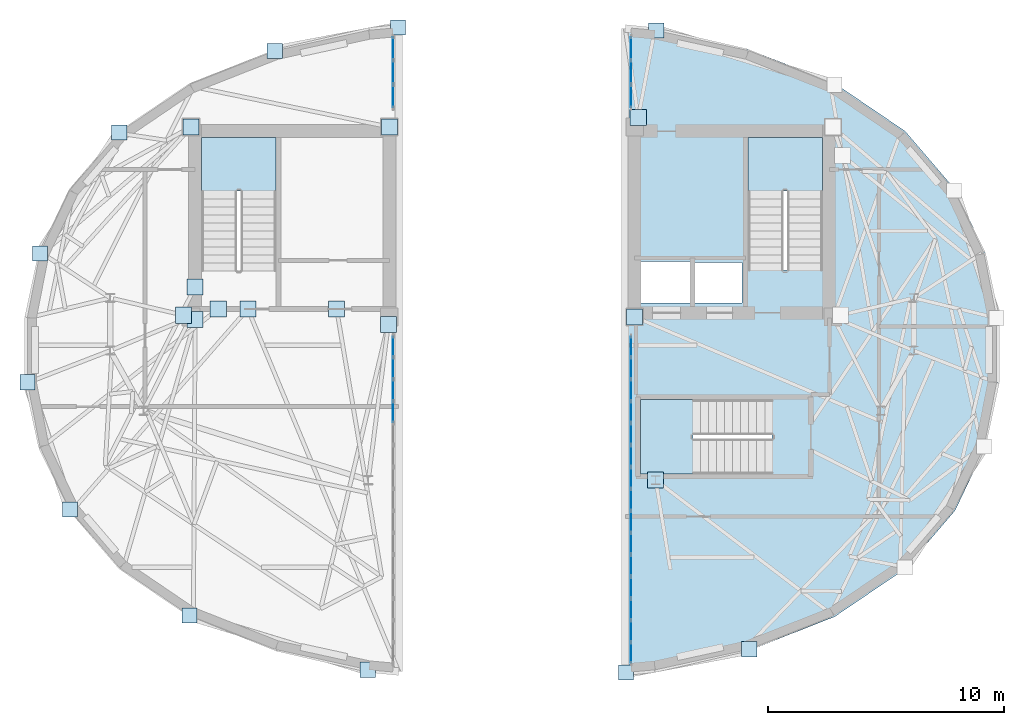
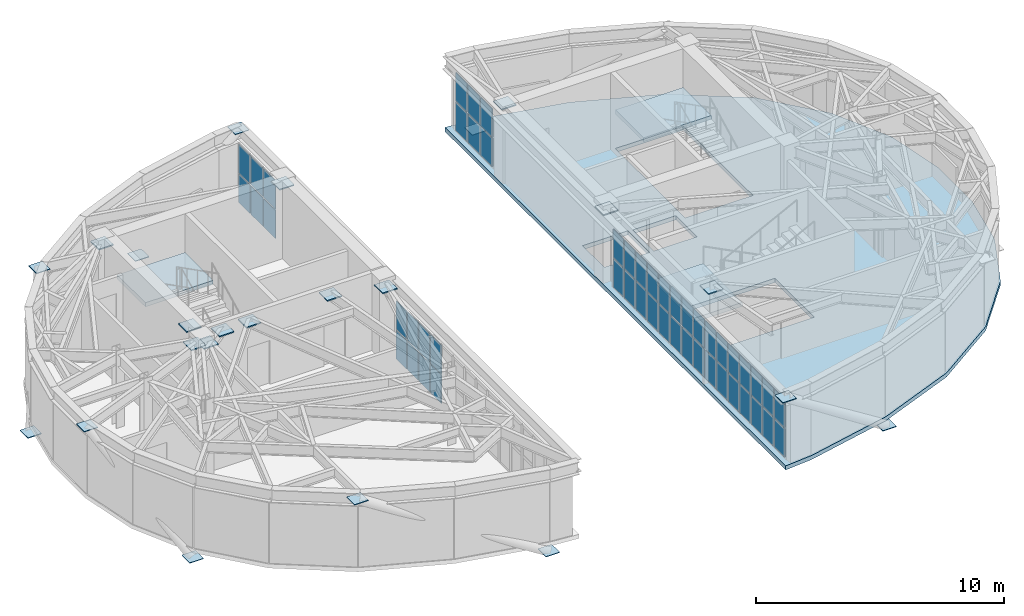
# One storey, part 8 of 13: 73 plates, 4 slabs, 7 elements without a shape of their own.
"""IFC4 building model written with IfcOpenShell, lengths in metres."""

from ifc_helpers import new_model, si_unit, direction, frame, origin, origin_2d, place, context, subcontext, project, spatial, polyline, rectangle, outline, extrude, material, layer, layer_set, type_object, element, aggregate, save


model = new_model("IFC4")

# Units and contexts
model_context = context("Model", 3, precision=1e-05, world=origin(), true_north=direction((0.0, 1.0)))
body_context = subcontext(model_context, "Body", "Model", "MODEL_VIEW")
ifc_project = project(units=[si_unit("LENGTHUNIT", "METRE"), si_unit("AREAUNIT", "SQUARE_METRE"), si_unit("VOLUMEUNIT", "CUBIC_METRE"), si_unit("PLANEANGLEUNIT", "RADIAN"), si_unit("MASSUNIT", "GRAM", prefix="KILO")], contexts=[model_context])

# Site, building, storey
site_placement = place(None, origin())
site = spatial("IfcSite", under=ifc_project, at=site_placement, CompositionType="ELEMENT")
building_placement = place(site_placement, origin())
building = spatial("IfcBuilding", under=site, at=building_placement, Name="Keldmark Tower", CompositionType="ELEMENT")
storey_placement = place(building_placement, frame((0.0, 0.0, 273.0)))
storey = spatial("IfcBuildingStorey", under=building, at=storey_placement, Name="L77", CompositionType="ELEMENT", Elevation=273.0)

# Plates
ifc_material_1 = material(Name="Steel ASTM A572 Grade 50", Category="steel")
ifc_layer_1 = layer(ifc_material_1, 0.06005859375)
ifc_layer_set_1 = layer_set([ifc_layer_1], Name="Steel ASTM A572 Grade 50")
plate_type_1 = type_object("IfcPlateType", Name="Belt Truss Kink Node Assembly KN01 60 mm", PredefinedType="USERDEFINED", material=ifc_layer_set_1)
for number, where, z_axis, x_axis, name in (
    (1, (-13.91162109375, 1.473388671875, 3.30810546875), (0.0, 0.0, 1.0), (1.0, 0.0, 0.0), "L77 Core Wall Cast-In Embed Plate 2203"),
    (2, (-5.24072265625, 1.08251953125, 3.30810546875), (0.0, 0.0, 1.0), (1.0, 0.0, 0.0), "L77 Core Wall Cast-In Embed Plate 2204"),
    (3, (5.199951171875, 1.39990234375, 3.30810546875), (0.0, 0.0, 1.0), (1.0, 0.0, 0.0), "L77 Core Wall Cast-In Embed Plate 2205"),
    (4, (6.089599609375, -5.512939453125, 3.30810546875), (0.0, 0.0, 1.0), (1.0, 0.0, 0.0), "L77 Core Wall Cast-In Embed Plate 2208"),
    (5, (5.35009765625, 9.85009765625, 3.30810546875), (0.0, 0.0, 1.0), (1.0, 0.0, 0.0), "L77 Core Wall Cast-In Embed Plate 2209"),
    (6, (-13.425048828125, 2.675048828125, 3.30810546875), (0.0, 0.0, 1.0), (1.0, 0.0, 0.0), "L77 Core Wall Cast-In Embed Plate 2210"),
    (7, (-12.4462890625, 1.739990234375, 3.30810546875), (0.0, 0.0, 1.0), (1.0, 0.0, 0.0), "L77 Core Wall Cast-In Embed Plate 2211"),
    (8, (-13.60009765625, 9.449951171875, 3.30810546875), (0.0, 0.0, 1.0), (1.0, 0.0, 0.0), "L77 Core Wall Cast-In Embed Plate 2212"),
    (9, (-7.43212890625, 1.739990234375, 3.30810546875), (0.0, 0.0, 1.0), (1.0, 0.0, 0.0), "L77 Core Wall Cast-In Embed Plate 2213"),
    (10, (-13.425048828125, 1.300048828125, 3.30810546875), (0.0, 0.0, 1.0), (1.0, 0.0, 0.0), "L77 Core Wall Cast-In Embed Plate 2214"),
    (11, (-11.19287109375, 1.739990234375, 3.30810546875), (0.0, 0.0, 1.0), (1.0, 0.0, 0.0), "L77 Core Wall Cast-In Embed Plate 2215"),
    (12, (-5.199951171875, 9.449951171875, 3.30810546875), (0.0, 0.0, 1.0), (1.0, 0.0, 0.0), "L77 Core Wall Cast-In Embed Plate 2216"),
):
    element("IfcPlate", number, at=place(storey_placement, frame(where, z_axis=z_axis, x_axis=x_axis)), inside=storey, type_object=plate_type_1, Name=name, ObjectType="CAP PLATE", PredefinedType="USERDEFINED", context=body_context, shape_type="SweptSolid", body=[
        extrude(rectangle(XDim=0.679931640625, YDim=0.679931640625, at=origin_2d()), origin(), (0.0, 0.0, 1.0), 0.054931640625),
    ])
ifc_material_2 = material(Name="Steel ASTM A572 Grade 50", Category="steel")
ifc_layer_2 = layer(ifc_material_2, 0.030029296875)
ifc_layer_set_2 = layer_set([ifc_layer_2], Name="Steel ASTM A572 Grade 50")
plate_type_2 = type_object("IfcPlateType", Name="Crown Frame End Cap Plate CP01 30 mm", PredefinedType="SHEET", material=ifc_layer_set_2)
for number, where, z_axis, x_axis, name in (
    (13, (6.11083984375, 13.546875, -0.46484375), (0.0, 0.0, 1.0), (1.0, 0.0, 0.0), "L77 Crown Frame Node Cap E00-0"),
    (14, (10.05078125, -12.676513671875, -0.46484375), (0.0, 0.0, 1.0), (1.0, 0.0, 0.0), "L77 Crown Frame Node Cap E12-0"),
    (15, (4.8330078125, -13.66455078125, 3.3349609375), (0.0, 0.0, 1.0), (1.0, 0.0, 0.0), "L77 Crown Frame Node Cap E12-1"),
    (16, (-6.11083984375, -13.546875, -0.46484375), (0.0, 0.0, 1.0), (1.0, 0.0, 0.0), "L77 Crown Frame Node Cap W00-0"),
    (17, (-13.6708984375, -11.23974609375, 3.3349609375), (0.0, 0.0, 1.0), (1.0, 0.0, 0.0), "L77 Crown Frame Node Cap W00-1"),
    (18, (-18.736328125, -6.7578125, -0.46484375), (0.0, 0.0, 1.0), (1.0, 0.0, 0.0), "L77 Crown Frame Node Cap W04-0"),
    (19, (-20.52685546875, -1.36328125, 3.3349609375), (0.0, 0.0, 1.0), (1.0, 0.0, 0.0), "L77 Crown Frame Node Cap W04-1"),
    (20, (-19.99658203125, 4.092041015625, -0.46484375), (0.0, 0.0, 1.0), (1.0, 0.0, 0.0), "L77 Crown Frame Node Cap W08-0"),
    (21, (-16.639404296875, 9.216064453125, 3.3349609375), (0.0, 0.0, 1.0), (1.0, 0.0, 0.0), "L77 Crown Frame Node Cap W08-1"),
    (22, (-10.05078125, 12.676513671875, -0.46484375), (0.0, 0.0, 1.0), (1.0, 0.0, 0.0), "L77 Crown Frame Node Cap W12-0"),
    (23, (-4.8330078125, 13.66455078125, 3.3349609375), (0.0, 0.0, 1.0), (1.0, 0.0, 0.0), "L77 Crown Frame Node Cap W12-1"),
):
    element("IfcPlate", number, at=place(storey_placement, frame(where, z_axis=z_axis, x_axis=x_axis)), inside=storey, type_object=plate_type_2, Name=name, PredefinedType="SHEET", context=body_context, shape_type="SweptSolid", body=[
        extrude(rectangle(XDim=0.639892578125, YDim=0.639892578125, at=origin_2d()), origin(), (0.0, 0.0, 1.0), 0.030029296875),
    ])

# Slab
ifc_material_3 = material(Name="Concrete C35/45", Category="concrete")
ifc_layer_3 = layer(ifc_material_3, 0.199951171875)
ifc_layer_set_3 = layer_set([ifc_layer_3], Name="Concrete C35/45")
slab_type_1 = type_object("IfcSlabType", Name="Low-Rise Office Composite Slab 200 mm", PredefinedType="FLOOR", material=ifc_layer_set_3)
slab_1_placement = place(storey_placement, frame((0.0, 0.0, -0.199951171875)))
element("IfcSlab", 24, at=slab_1_placement, inside=storey, type_object=slab_type_1, Name="L77 East Crown Plant Floor Slab", PredefinedType="FLOOR", context=body_context, shape_type="SweptSolid", body=[
    extrude(outline(polyline([(6.0810546875, 13.59912109375), (10.03369140625, 12.734130859375), (13.669921875, 11.2998046875), (16.656982421875, 9.2734375), (18.771484375, 6.806396484375), (20.04638671875, 4.125244140625), (20.585693359375, 1.37548828125), (20.585693359375, -1.37548828125), (20.04638671875, -4.125244140625), (18.771484375, -6.806396484375), (16.656982421875, -9.2734375), (13.669921875, -11.2998046875), (10.03369140625, -12.734130859375), (6.0810546875, -13.59912109375), (4.800048828125, -13.714599609375), (4.800048828125, 13.714599609375), (6.0810546875, 13.59912109375)]), holes=[polyline([(13.14990234375, 3.385009765625), (13.14990234375, 9.0), (10.0, 9.0), (10.0, 3.385009765625), (13.14990234375, 3.385009765625)]), polyline([(11.014892578125, -2.10009765625), (5.43994140625, -2.10009765625), (5.43994140625, -5.25), (11.014892578125, -5.25), (11.014892578125, -2.10009765625)]), polyline([(7.75, 2.0), (9.75, 2.0), (9.75, 3.699951171875), (7.75, 3.699951171875), (7.75, 2.0)]), polyline([(5.449951171875, 2.0), (7.550048828125, 2.0), (7.550048828125, 3.75), (5.449951171875, 3.75), (5.449951171875, 2.0)])]), origin(), (0.0, 0.0, 1.0), 0.199951171875),
])

# Stair, slab
ifc_material_4 = material(Name="Concrete C40/50", Category="concrete")
stair_type = type_object("IfcStairType", Name="Precast Concrete Core Exit Stair", PredefinedType="HALF_TURN_STAIR", material=ifc_material_4)
stair_1_placement = place(storey_placement, origin())
stair_1 = element("IfcStair", 25, at=stair_1_placement, inside=storey, type_object=stair_type, Name="L77 Exit Stair ST1", PredefinedType="HALF_TURN_STAIR")
ifc_material_5 = material(Name="Concrete C40/50", Category="concrete")
ifc_layer_4 = layer(ifc_material_5, 0.199951171875)
ifc_layer_set_4 = layer_set([ifc_layer_4], Name="Concrete C40/50")
slab_type_2 = type_object("IfcSlabType", Name="Reinforced Concrete Stair Landing 200 mm", PredefinedType="LANDING", material=ifc_layer_set_4)
slab_2_placement = place(storey_placement, frame((0.0, 0.0, 1.699951171875)))
slab_2 = element("IfcSlab", 26, at=slab_2_placement, type_object=slab_type_2, Name="ST1 landing 1", PredefinedType="LANDING", context=body_context, shape_type="SweptSolid", body=[
    extrude(outline(polyline([(-10.0, 6.72998046875), (-10.0, 9.0), (-13.14990234375, 9.0), (-13.14990234375, 6.72998046875), (-10.0, 6.72998046875)])), origin(), (0.0, 0.0, 1.0), 0.199951171875),
])
aggregate(stair_1, [slab_2])

stair_2_placement = place(storey_placement, origin())
stair_2 = element("IfcStair", 27, at=stair_2_placement, inside=storey, type_object=stair_type, Name="L77 Exit Stair ST2", PredefinedType="HALF_TURN_STAIR")
slab_3_placement = place(storey_placement, frame((0.0, 0.0, 1.699951171875)))
slab_3 = element("IfcSlab", 28, at=slab_3_placement, type_object=slab_type_2, Name="ST2 landing 1", PredefinedType="LANDING", context=body_context, shape_type="SweptSolid", body=[
    extrude(outline(polyline([(13.14990234375, 6.72998046875), (13.14990234375, 9.0), (10.0, 9.0), (10.0, 6.72998046875), (13.14990234375, 6.72998046875)])), origin(), (0.0, 0.0, 1.0), 0.199951171875),
])
aggregate(stair_2, [slab_3])

stair_3_placement = place(storey_placement, origin())
stair_3 = element("IfcStair", 29, at=stair_3_placement, inside=storey, type_object=stair_type, Name="L77 East Crown Exit Stair ST4", PredefinedType="HALF_TURN_STAIR")
slab_4_placement = place(storey_placement, frame((0.0, 0.0, 1.699951171875)))
slab_4 = element("IfcSlab", 30, at=slab_4_placement, type_object=slab_type_2, Name="ST4 landing 1", PredefinedType="LANDING", context=body_context, shape_type="SweptSolid", body=[
    extrude(outline(polyline([(7.669921875, -2.10009765625), (5.43994140625, -2.10009765625), (5.43994140625, -5.25), (7.669921875, -5.25), (7.669921875, -2.10009765625)])), origin(), (0.0, 0.0, 1.0), 0.199951171875),
])
aggregate(stair_3, [slab_4])

# Curtain wall, plates
ifc_material_6 = material(Name="Unitized Thermally Broken Aluminum and Triple Low-E Glazing", Category="aluminium")
ifc_layer_5 = layer(ifc_material_6, 0.219970703125)
ifc_layer_set_5 = layer_set([ifc_layer_5], Name="Unitized Thermally Broken Aluminum and Triple Low-E Glazing")
curtain_wall_type = type_object("IfcCurtainWallType", Name="Split-Top Crown Lantern Curtain Wall System", PredefinedType="NOTDEFINED", material=ifc_layer_set_5)
curtain_wall_1_placement = place(storey_placement, origin())
curtain_wall_1 = element("IfcCurtainWall", 31, at=curtain_wall_1_placement, inside=storey, type_object=curtain_wall_type, Name="L77 Split-Top Crown Lantern Curtain Wall System CW-L77-ES14-0", PredefinedType="NOTDEFINED")
ifc_material_7 = material(Name="Triple Silver Low-E Insulated Glass Unit", Category="glass")
ifc_layer_6 = layer(ifc_material_7, 0.035888671875)
ifc_layer_set_6 = layer_set([ifc_layer_6], Name="Triple Silver Low-E Insulated Glass Unit")
plate_type_3 = type_object("IfcPlateType", Name="Triple Low-E Vision Glazing Panel 36 mm", PredefinedType="CURTAIN_PANEL", material=ifc_layer_set_6)
plate_1_placement = place(storey_placement, frame((5.0400390625, 12.783203125, 0.06005859375), z_axis=(0.0, 0.0, 1.0), x_axis=(0.0, -1.0, 0.0)))
plate_1 = element("IfcPlate", 32, at=plate_1_placement, type_object=plate_type_3, Name="CW panel 1.1", PredefinedType="CURTAIN_PANEL", context=body_context, shape_type="SweptSolid", body=[
    extrude(rectangle(XDim=0.937744140625, YDim=0.035888671875, at=origin_2d()), origin(), (0.0, 0.0, 1.0), 1.39306640625),
])
plate_2_placement = place(storey_placement, frame((5.0400390625, 12.783203125, 1.512939453125), z_axis=(0.0, 0.0, 1.0), x_axis=(0.0, -1.0, 0.0)))
plate_2 = element("IfcPlate", 33, at=plate_2_placement, type_object=plate_type_3, Name="CW panel 1.2", PredefinedType="CURTAIN_PANEL", context=body_context, shape_type="SweptSolid", body=[
    extrude(rectangle(XDim=0.937744140625, YDim=0.035888671875, at=origin_2d()), origin(), (0.0, 0.0, 1.0), 1.39306640625),
])
plate_3_placement = place(storey_placement, frame((5.0400390625, 11.770263671875, 0.06005859375), z_axis=(0.0, 0.0, 1.0), x_axis=(0.0, -1.0, 0.0)))
plate_3 = element("IfcPlate", 34, at=plate_3_placement, type_object=plate_type_3, Name="CW panel 2.1", PredefinedType="CURTAIN_PANEL", context=body_context, shape_type="SweptSolid", body=[
    extrude(rectangle(XDim=0.9677734375, YDim=0.035888671875, at=origin_2d()), origin(), (0.0, 0.0, 1.0), 1.39306640625),
])
plate_4_placement = place(storey_placement, frame((5.0400390625, 11.770263671875, 1.512939453125), z_axis=(0.0, 0.0, 1.0), x_axis=(0.0, -1.0, 0.0)))
plate_4 = element("IfcPlate", 35, at=plate_4_placement, type_object=plate_type_3, Name="CW panel 2.2", PredefinedType="CURTAIN_PANEL", context=body_context, shape_type="SweptSolid", body=[
    extrude(rectangle(XDim=0.9677734375, YDim=0.035888671875, at=origin_2d()), origin(), (0.0, 0.0, 1.0), 1.39306640625),
])
plate_5_placement = place(storey_placement, frame((5.0400390625, 10.75732421875, 0.06005859375), z_axis=(0.0, 0.0, 1.0), x_axis=(0.0, -1.0, 0.0)))
plate_5 = element("IfcPlate", 36, at=plate_5_placement, type_object=plate_type_3, Name="CW panel 3.1", PredefinedType="CURTAIN_PANEL", context=body_context, shape_type="SweptSolid", body=[
    extrude(rectangle(XDim=0.937744140625, YDim=0.035888671875, at=origin_2d()), origin(), (0.0, 0.0, 1.0), 1.39306640625),
])
plate_6_placement = place(storey_placement, frame((5.0400390625, 10.75732421875, 1.512939453125), z_axis=(0.0, 0.0, 1.0), x_axis=(0.0, -1.0, 0.0)))
plate_6 = element("IfcPlate", 37, at=plate_6_placement, type_object=plate_type_3, Name="CW panel 3.2", PredefinedType="CURTAIN_PANEL", context=body_context, shape_type="SweptSolid", body=[
    extrude(rectangle(XDim=0.937744140625, YDim=0.035888671875, at=origin_2d()), origin(), (0.0, 0.0, 1.0), 1.39306640625),
])
aggregate(curtain_wall_1, [plate_1, plate_2, plate_3, plate_4, plate_5, plate_6])

curtain_wall_2_placement = place(storey_placement, origin())
curtain_wall_2 = element("IfcCurtainWall", 38, at=curtain_wall_2_placement, inside=storey, type_object=curtain_wall_type, Name="L77 Split-Top Crown Lantern Curtain Wall System CW-L77-ES14-1", PredefinedType="NOTDEFINED")
plate_7_placement = place(storey_placement, frame((5.0400390625, 0.14208984375, 0.06005859375), z_axis=(0.0, 0.0, 1.0), x_axis=(0.0, -1.0, 0.0)))
plate_7 = element("IfcPlate", 39, at=plate_7_placement, type_object=plate_type_3, Name="CW panel 1.1", PredefinedType="CURTAIN_PANEL", context=body_context, shape_type="SweptSolid", body=[
    extrude(rectangle(XDim=0.8388671875, YDim=0.035888671875, at=origin_2d()), origin(), (0.0, 0.0, 1.0), 1.39306640625),
])
plate_8_placement = place(storey_placement, frame((5.0400390625, 0.14208984375, 1.512939453125), z_axis=(0.0, 0.0, 1.0), x_axis=(0.0, -1.0, 0.0)))
plate_8 = element("IfcPlate", 40, at=plate_8_placement, type_object=plate_type_3, Name="CW panel 1.2", PredefinedType="CURTAIN_PANEL", context=body_context, shape_type="SweptSolid", body=[
    extrude(rectangle(XDim=0.8388671875, YDim=0.035888671875, at=origin_2d()), origin(), (0.0, 0.0, 1.0), 1.39306640625),
])
plate_9_placement = place(storey_placement, frame((5.0400390625, -0.771728515625, 0.06005859375), z_axis=(0.0, 0.0, 1.0), x_axis=(0.0, -1.0, 0.0)))
plate_9 = element("IfcPlate", 41, at=plate_9_placement, type_object=plate_type_3, Name="CW panel 2.1", PredefinedType="CURTAIN_PANEL", context=body_context, shape_type="SweptSolid", body=[
    extrude(rectangle(XDim=0.868896484375, YDim=0.035888671875, at=origin_2d()), origin(), (0.0, 0.0, 1.0), 1.39306640625),
])
plate_10_placement = place(storey_placement, frame((5.0400390625, -0.771728515625, 1.512939453125), z_axis=(0.0, 0.0, 1.0), x_axis=(0.0, -1.0, 0.0)))
plate_10 = element("IfcPlate", 42, at=plate_10_placement, type_object=plate_type_3, Name="CW panel 2.2", PredefinedType="CURTAIN_PANEL", context=body_context, shape_type="SweptSolid", body=[
    extrude(rectangle(XDim=0.868896484375, YDim=0.035888671875, at=origin_2d()), origin(), (0.0, 0.0, 1.0), 1.39306640625),
])
plate_11_placement = place(storey_placement, frame((5.0400390625, -1.70068359375, 0.06005859375), z_axis=(0.0, 0.0, 1.0), x_axis=(0.0, -1.0, 0.0)))
plate_11 = element("IfcPlate", 43, at=plate_11_placement, type_object=plate_type_3, Name="CW panel 3.1", PredefinedType="CURTAIN_PANEL", context=body_context, shape_type="SweptSolid", body=[
    extrude(rectangle(XDim=0.868896484375, YDim=0.035888671875, at=origin_2d()), origin(), (0.0, 0.0, 1.0), 1.39306640625),
])
plate_12_placement = place(storey_placement, frame((5.0400390625, -1.70068359375, 1.512939453125), z_axis=(0.0, 0.0, 1.0), x_axis=(0.0, -1.0, 0.0)))
plate_12 = element("IfcPlate", 44, at=plate_12_placement, type_object=plate_type_3, Name="CW panel 3.2", PredefinedType="CURTAIN_PANEL", context=body_context, shape_type="SweptSolid", body=[
    extrude(rectangle(XDim=0.868896484375, YDim=0.035888671875, at=origin_2d()), origin(), (0.0, 0.0, 1.0), 1.39306640625),
])
plate_13_placement = place(storey_placement, frame((5.0400390625, -2.629638671875, 0.06005859375), z_axis=(0.0, 0.0, 1.0), x_axis=(0.0, -1.0, 0.0)))
plate_13 = element("IfcPlate", 45, at=plate_13_placement, type_object=plate_type_3, Name="CW panel 4.1", PredefinedType="CURTAIN_PANEL", context=body_context, shape_type="SweptSolid", body=[
    extrude(rectangle(XDim=0.868896484375, YDim=0.035888671875, at=origin_2d()), origin(), (0.0, 0.0, 1.0), 1.39306640625),
])
plate_14_placement = place(storey_placement, frame((5.0400390625, -2.629638671875, 1.512939453125), z_axis=(0.0, 0.0, 1.0), x_axis=(0.0, -1.0, 0.0)))
plate_14 = element("IfcPlate", 46, at=plate_14_placement, type_object=plate_type_3, Name="CW panel 4.2", PredefinedType="CURTAIN_PANEL", context=body_context, shape_type="SweptSolid", body=[
    extrude(rectangle(XDim=0.868896484375, YDim=0.035888671875, at=origin_2d()), origin(), (0.0, 0.0, 1.0), 1.39306640625),
])
plate_15_placement = place(storey_placement, frame((5.0400390625, -3.55859375, 0.06005859375), z_axis=(0.0, 0.0, 1.0), x_axis=(0.0, -1.0, 0.0)))
plate_15 = element("IfcPlate", 47, at=plate_15_placement, type_object=plate_type_3, Name="CW panel 5.1", PredefinedType="CURTAIN_PANEL", context=body_context, shape_type="SweptSolid", body=[
    extrude(rectangle(XDim=0.868896484375, YDim=0.035888671875, at=origin_2d()), origin(), (0.0, 0.0, 1.0), 1.39306640625),
])
plate_16_placement = place(storey_placement, frame((5.0400390625, -3.55859375, 1.512939453125), z_axis=(0.0, 0.0, 1.0), x_axis=(0.0, -1.0, 0.0)))
plate_16 = element("IfcPlate", 48, at=plate_16_placement, type_object=plate_type_3, Name="CW panel 5.2", PredefinedType="CURTAIN_PANEL", context=body_context, shape_type="SweptSolid", body=[
    extrude(rectangle(XDim=0.868896484375, YDim=0.035888671875, at=origin_2d()), origin(), (0.0, 0.0, 1.0), 1.39306640625),
])
plate_17_placement = place(storey_placement, frame((5.0400390625, -4.487548828125, 0.06005859375), z_axis=(0.0, 0.0, 1.0), x_axis=(0.0, -1.0, 0.0)))
plate_17 = element("IfcPlate", 49, at=plate_17_placement, type_object=plate_type_3, Name="CW panel 6.1", PredefinedType="CURTAIN_PANEL", context=body_context, shape_type="SweptSolid", body=[
    extrude(rectangle(XDim=0.868896484375, YDim=0.035888671875, at=origin_2d()), origin(), (0.0, 0.0, 1.0), 1.39306640625),
])
plate_18_placement = place(storey_placement, frame((5.0400390625, -4.487548828125, 1.512939453125), z_axis=(0.0, 0.0, 1.0), x_axis=(0.0, -1.0, 0.0)))
plate_18 = element("IfcPlate", 50, at=plate_18_placement, type_object=plate_type_3, Name="CW panel 6.2", PredefinedType="CURTAIN_PANEL", context=body_context, shape_type="SweptSolid", body=[
    extrude(rectangle(XDim=0.868896484375, YDim=0.035888671875, at=origin_2d()), origin(), (0.0, 0.0, 1.0), 1.39306640625),
])
plate_19_placement = place(storey_placement, frame((5.0400390625, -5.416259765625, 0.06005859375), z_axis=(0.0, 0.0, 1.0), x_axis=(0.0, -1.0, 0.0)))
plate_19 = element("IfcPlate", 51, at=plate_19_placement, type_object=plate_type_3, Name="CW panel 7.1", PredefinedType="CURTAIN_PANEL", context=body_context, shape_type="SweptSolid", body=[
    extrude(rectangle(XDim=0.868896484375, YDim=0.035888671875, at=origin_2d()), origin(), (0.0, 0.0, 1.0), 1.39306640625),
])
plate_20_placement = place(storey_placement, frame((5.0400390625, -5.416259765625, 1.512939453125), z_axis=(0.0, 0.0, 1.0), x_axis=(0.0, -1.0, 0.0)))
plate_20 = element("IfcPlate", 52, at=plate_20_placement, type_object=plate_type_3, Name="CW panel 7.2", PredefinedType="CURTAIN_PANEL", context=body_context, shape_type="SweptSolid", body=[
    extrude(rectangle(XDim=0.868896484375, YDim=0.035888671875, at=origin_2d()), origin(), (0.0, 0.0, 1.0), 1.39306640625),
])
plate_21_placement = place(storey_placement, frame((5.0400390625, -6.34521484375, 0.06005859375), z_axis=(0.0, 0.0, 1.0), x_axis=(0.0, -1.0, 0.0)))
plate_21 = element("IfcPlate", 53, at=plate_21_placement, type_object=plate_type_3, Name="CW panel 8.1", PredefinedType="CURTAIN_PANEL", context=body_context, shape_type="SweptSolid", body=[
    extrude(rectangle(XDim=0.868896484375, YDim=0.035888671875, at=origin_2d()), origin(), (0.0, 0.0, 1.0), 1.39306640625),
])
plate_22_placement = place(storey_placement, frame((5.0400390625, -6.34521484375, 1.512939453125), z_axis=(0.0, 0.0, 1.0), x_axis=(0.0, -1.0, 0.0)))
plate_22 = element("IfcPlate", 54, at=plate_22_placement, type_object=plate_type_3, Name="CW panel 8.2", PredefinedType="CURTAIN_PANEL", context=body_context, shape_type="SweptSolid", body=[
    extrude(rectangle(XDim=0.868896484375, YDim=0.035888671875, at=origin_2d()), origin(), (0.0, 0.0, 1.0), 1.39306640625),
])
plate_23_placement = place(storey_placement, frame((5.0400390625, -7.274169921875, 0.06005859375), z_axis=(0.0, 0.0, 1.0), x_axis=(0.0, -1.0, 0.0)))
plate_23 = element("IfcPlate", 55, at=plate_23_placement, type_object=plate_type_3, Name="CW panel 9.1", PredefinedType="CURTAIN_PANEL", context=body_context, shape_type="SweptSolid", body=[
    extrude(rectangle(XDim=0.868896484375, YDim=0.035888671875, at=origin_2d()), origin(), (0.0, 0.0, 1.0), 1.39306640625),
])
plate_24_placement = place(storey_placement, frame((5.0400390625, -7.274169921875, 1.512939453125), z_axis=(0.0, 0.0, 1.0), x_axis=(0.0, -1.0, 0.0)))
plate_24 = element("IfcPlate", 56, at=plate_24_placement, type_object=plate_type_3, Name="CW panel 9.2", PredefinedType="CURTAIN_PANEL", context=body_context, shape_type="SweptSolid", body=[
    extrude(rectangle(XDim=0.868896484375, YDim=0.035888671875, at=origin_2d()), origin(), (0.0, 0.0, 1.0), 1.39306640625),
])
plate_25_placement = place(storey_placement, frame((5.0400390625, -8.203125, 0.06005859375), z_axis=(0.0, 0.0, 1.0), x_axis=(0.0, -1.0, 0.0)))
plate_25 = element("IfcPlate", 57, at=plate_25_placement, type_object=plate_type_3, Name="CW panel 10.1", PredefinedType="CURTAIN_PANEL", context=body_context, shape_type="SweptSolid", body=[
    extrude(rectangle(XDim=0.868896484375, YDim=0.035888671875, at=origin_2d()), origin(), (0.0, 0.0, 1.0), 1.39306640625),
])
plate_26_placement = place(storey_placement, frame((5.0400390625, -8.203125, 1.512939453125), z_axis=(0.0, 0.0, 1.0), x_axis=(0.0, -1.0, 0.0)))
plate_26 = element("IfcPlate", 58, at=plate_26_placement, type_object=plate_type_3, Name="CW panel 10.2", PredefinedType="CURTAIN_PANEL", context=body_context, shape_type="SweptSolid", body=[
    extrude(rectangle(XDim=0.868896484375, YDim=0.035888671875, at=origin_2d()), origin(), (0.0, 0.0, 1.0), 1.39306640625),
])
plate_27_placement = place(storey_placement, frame((5.0400390625, -9.1318359375, 0.06005859375), z_axis=(0.0, 0.0, 1.0), x_axis=(0.0, -1.0, 0.0)))
plate_27 = element("IfcPlate", 59, at=plate_27_placement, type_object=plate_type_3, Name="CW panel 11.1", PredefinedType="CURTAIN_PANEL", context=body_context, shape_type="SweptSolid", body=[
    extrude(rectangle(XDim=0.868896484375, YDim=0.035888671875, at=origin_2d()), origin(), (0.0, 0.0, 1.0), 1.39306640625),
])
plate_28_placement = place(storey_placement, frame((5.0400390625, -9.1318359375, 1.512939453125), z_axis=(0.0, 0.0, 1.0), x_axis=(0.0, -1.0, 0.0)))
plate_28 = element("IfcPlate", 60, at=plate_28_placement, type_object=plate_type_3, Name="CW panel 11.2", PredefinedType="CURTAIN_PANEL", context=body_context, shape_type="SweptSolid", body=[
    extrude(rectangle(XDim=0.868896484375, YDim=0.035888671875, at=origin_2d()), origin(), (0.0, 0.0, 1.0), 1.39306640625),
])
plate_29_placement = place(storey_placement, frame((5.0400390625, -10.060791015625, 0.06005859375), z_axis=(0.0, 0.0, 1.0), x_axis=(0.0, -1.0, 0.0)))
plate_29 = element("IfcPlate", 61, at=plate_29_placement, type_object=plate_type_3, Name="CW panel 12.1", PredefinedType="CURTAIN_PANEL", context=body_context, shape_type="SweptSolid", body=[
    extrude(rectangle(XDim=0.868896484375, YDim=0.035888671875, at=origin_2d()), origin(), (0.0, 0.0, 1.0), 1.39306640625),
])
plate_30_placement = place(storey_placement, frame((5.0400390625, -10.060791015625, 1.512939453125), z_axis=(0.0, 0.0, 1.0), x_axis=(0.0, -1.0, 0.0)))
plate_30 = element("IfcPlate", 62, at=plate_30_placement, type_object=plate_type_3, Name="CW panel 12.2", PredefinedType="CURTAIN_PANEL", context=body_context, shape_type="SweptSolid", body=[
    extrude(rectangle(XDim=0.868896484375, YDim=0.035888671875, at=origin_2d()), origin(), (0.0, 0.0, 1.0), 1.39306640625),
])
plate_31_placement = place(storey_placement, frame((5.0400390625, -10.98974609375, 0.06005859375), z_axis=(0.0, 0.0, 1.0), x_axis=(0.0, -1.0, 0.0)))
plate_31 = element("IfcPlate", 63, at=plate_31_placement, type_object=plate_type_3, Name="CW panel 13.1", PredefinedType="CURTAIN_PANEL", context=body_context, shape_type="SweptSolid", body=[
    extrude(rectangle(XDim=0.868896484375, YDim=0.035888671875, at=origin_2d()), origin(), (0.0, 0.0, 1.0), 1.39306640625),
])
plate_32_placement = place(storey_placement, frame((5.0400390625, -10.98974609375, 1.512939453125), z_axis=(0.0, 0.0, 1.0), x_axis=(0.0, -1.0, 0.0)))
plate_32 = element("IfcPlate", 64, at=plate_32_placement, type_object=plate_type_3, Name="CW panel 13.2", PredefinedType="CURTAIN_PANEL", context=body_context, shape_type="SweptSolid", body=[
    extrude(rectangle(XDim=0.868896484375, YDim=0.035888671875, at=origin_2d()), origin(), (0.0, 0.0, 1.0), 1.39306640625),
])
plate_33_placement = place(storey_placement, frame((5.0400390625, -11.918701171875, 0.06005859375), z_axis=(0.0, 0.0, 1.0), x_axis=(0.0, -1.0, 0.0)))
plate_33 = element("IfcPlate", 65, at=plate_33_placement, type_object=plate_type_3, Name="CW panel 14.1", PredefinedType="CURTAIN_PANEL", context=body_context, shape_type="SweptSolid", body=[
    extrude(rectangle(XDim=0.868896484375, YDim=0.035888671875, at=origin_2d()), origin(), (0.0, 0.0, 1.0), 1.39306640625),
])
plate_34_placement = place(storey_placement, frame((5.0400390625, -11.918701171875, 1.512939453125), z_axis=(0.0, 0.0, 1.0), x_axis=(0.0, -1.0, 0.0)))
plate_34 = element("IfcPlate", 66, at=plate_34_placement, type_object=plate_type_3, Name="CW panel 14.2", PredefinedType="CURTAIN_PANEL", context=body_context, shape_type="SweptSolid", body=[
    extrude(rectangle(XDim=0.868896484375, YDim=0.035888671875, at=origin_2d()), origin(), (0.0, 0.0, 1.0), 1.39306640625),
])
plate_35_placement = place(storey_placement, frame((5.0400390625, -12.83251953125, 0.06005859375), z_axis=(0.0, 0.0, 1.0), x_axis=(0.0, -1.0, 0.0)))
plate_35 = element("IfcPlate", 67, at=plate_35_placement, type_object=plate_type_3, Name="CW panel 15.1", PredefinedType="CURTAIN_PANEL", context=body_context, shape_type="SweptSolid", body=[
    extrude(rectangle(XDim=0.8388671875, YDim=0.035888671875, at=origin_2d()), origin(), (0.0, 0.0, 1.0), 1.39306640625),
])
plate_36_placement = place(storey_placement, frame((5.0400390625, -12.83251953125, 1.512939453125), z_axis=(0.0, 0.0, 1.0), x_axis=(0.0, -1.0, 0.0)))
plate_36 = element("IfcPlate", 68, at=plate_36_placement, type_object=plate_type_3, Name="CW panel 15.2", PredefinedType="CURTAIN_PANEL", context=body_context, shape_type="SweptSolid", body=[
    extrude(rectangle(XDim=0.8388671875, YDim=0.035888671875, at=origin_2d()), origin(), (0.0, 0.0, 1.0), 1.39306640625),
])
aggregate(curtain_wall_2, [plate_7, plate_8, plate_9, plate_10, plate_11, plate_12, plate_13, plate_14, plate_15, plate_16, plate_17, plate_18, plate_19, plate_20, plate_21, plate_22, plate_23, plate_24, plate_25, plate_26, plate_27, plate_28, plate_29, plate_30, plate_31, plate_32, plate_33, plate_34, plate_35, plate_36])

curtain_wall_3_placement = place(storey_placement, origin())
curtain_wall_3 = element("IfcCurtainWall", 69, at=curtain_wall_3_placement, inside=storey, type_object=curtain_wall_type, Name="L77 Split-Top Crown Lantern Curtain Wall System CW-L77-WS14-0", PredefinedType="NOTDEFINED")
plate_37_placement = place(storey_placement, frame((-5.0400390625, -2.629638671875, 0.06005859375), z_axis=(0.0, 0.0, 1.0), x_axis=(0.0, 1.0, 0.0)))
plate_37 = element("IfcPlate", 70, at=plate_37_placement, type_object=plate_type_3, Name="CW panel 12.1", PredefinedType="CURTAIN_PANEL", context=body_context, shape_type="SweptSolid", body=[
    extrude(rectangle(XDim=0.868896484375, YDim=0.035888671875, at=origin_2d()), origin(), (0.0, 0.0, 1.0), 1.39306640625),
])
plate_38_placement = place(storey_placement, frame((-5.0400390625, -2.629638671875, 1.512939453125), z_axis=(0.0, 0.0, 1.0), x_axis=(0.0, 1.0, 0.0)))
plate_38 = element("IfcPlate", 71, at=plate_38_placement, type_object=plate_type_3, Name="CW panel 12.2", PredefinedType="CURTAIN_PANEL", context=body_context, shape_type="SweptSolid", body=[
    extrude(rectangle(XDim=0.868896484375, YDim=0.035888671875, at=origin_2d()), origin(), (0.0, 0.0, 1.0), 1.39306640625),
])
plate_39_placement = place(storey_placement, frame((-5.0400390625, -1.70068359375, 0.06005859375), z_axis=(0.0, 0.0, 1.0), x_axis=(0.0, 1.0, 0.0)))
plate_39 = element("IfcPlate", 72, at=plate_39_placement, type_object=plate_type_3, Name="CW panel 13.1", PredefinedType="CURTAIN_PANEL", context=body_context, shape_type="SweptSolid", body=[
    extrude(rectangle(XDim=0.868896484375, YDim=0.035888671875, at=origin_2d()), origin(), (0.0, 0.0, 1.0), 1.39306640625),
])
plate_40_placement = place(storey_placement, frame((-5.0400390625, -1.70068359375, 1.512939453125), z_axis=(0.0, 0.0, 1.0), x_axis=(0.0, 1.0, 0.0)))
plate_40 = element("IfcPlate", 73, at=plate_40_placement, type_object=plate_type_3, Name="CW panel 13.2", PredefinedType="CURTAIN_PANEL", context=body_context, shape_type="SweptSolid", body=[
    extrude(rectangle(XDim=0.868896484375, YDim=0.035888671875, at=origin_2d()), origin(), (0.0, 0.0, 1.0), 1.39306640625),
])
plate_41_placement = place(storey_placement, frame((-5.0400390625, -0.771728515625, 0.06005859375), z_axis=(0.0, 0.0, 1.0), x_axis=(0.0, 1.0, 0.0)))
plate_41 = element("IfcPlate", 74, at=plate_41_placement, type_object=plate_type_3, Name="CW panel 14.1", PredefinedType="CURTAIN_PANEL", context=body_context, shape_type="SweptSolid", body=[
    extrude(rectangle(XDim=0.868896484375, YDim=0.035888671875, at=origin_2d()), origin(), (0.0, 0.0, 1.0), 1.39306640625),
])
plate_42_placement = place(storey_placement, frame((-5.0400390625, -0.771728515625, 1.512939453125), z_axis=(0.0, 0.0, 1.0), x_axis=(0.0, 1.0, 0.0)))
plate_42 = element("IfcPlate", 75, at=plate_42_placement, type_object=plate_type_3, Name="CW panel 14.2", PredefinedType="CURTAIN_PANEL", context=body_context, shape_type="SweptSolid", body=[
    extrude(rectangle(XDim=0.868896484375, YDim=0.035888671875, at=origin_2d()), origin(), (0.0, 0.0, 1.0), 1.39306640625),
])
plate_43_placement = place(storey_placement, frame((-5.0400390625, 0.14208984375, 0.06005859375), z_axis=(0.0, 0.0, 1.0), x_axis=(0.0, 1.0, 0.0)))
plate_43 = element("IfcPlate", 76, at=plate_43_placement, type_object=plate_type_3, Name="CW panel 15.1", PredefinedType="CURTAIN_PANEL", context=body_context, shape_type="SweptSolid", body=[
    extrude(rectangle(XDim=0.8388671875, YDim=0.035888671875, at=origin_2d()), origin(), (0.0, 0.0, 1.0), 1.39306640625),
])
plate_44_placement = place(storey_placement, frame((-5.0400390625, 0.14208984375, 1.512939453125), z_axis=(0.0, 0.0, 1.0), x_axis=(0.0, 1.0, 0.0)))
plate_44 = element("IfcPlate", 77, at=plate_44_placement, type_object=plate_type_3, Name="CW panel 15.2", PredefinedType="CURTAIN_PANEL", context=body_context, shape_type="SweptSolid", body=[
    extrude(rectangle(XDim=0.8388671875, YDim=0.035888671875, at=origin_2d()), origin(), (0.0, 0.0, 1.0), 1.39306640625),
])
aggregate(curtain_wall_3, [plate_37, plate_38, plate_39, plate_40, plate_41, plate_42, plate_43, plate_44])

curtain_wall_4_placement = place(storey_placement, origin())
curtain_wall_4 = element("IfcCurtainWall", 78, at=curtain_wall_4_placement, inside=storey, type_object=curtain_wall_type, Name="L77 Split-Top Crown Lantern Curtain Wall System CW-L77-WS14-1", PredefinedType="NOTDEFINED")
plate_45_placement = place(storey_placement, frame((-5.0400390625, 10.75732421875, 0.06005859375), z_axis=(0.0, 0.0, 1.0), x_axis=(0.0, 1.0, 0.0)))
plate_45 = element("IfcPlate", 79, at=plate_45_placement, type_object=plate_type_3, Name="CW panel 1.1", PredefinedType="CURTAIN_PANEL", context=body_context, shape_type="SweptSolid", body=[
    extrude(rectangle(XDim=0.937744140625, YDim=0.035888671875, at=origin_2d()), origin(), (0.0, 0.0, 1.0), 1.39306640625),
])
plate_46_placement = place(storey_placement, frame((-5.0400390625, 10.75732421875, 1.512939453125), z_axis=(0.0, 0.0, 1.0), x_axis=(0.0, 1.0, 0.0)))
plate_46 = element("IfcPlate", 80, at=plate_46_placement, type_object=plate_type_3, Name="CW panel 1.2", PredefinedType="CURTAIN_PANEL", context=body_context, shape_type="SweptSolid", body=[
    extrude(rectangle(XDim=0.937744140625, YDim=0.035888671875, at=origin_2d()), origin(), (0.0, 0.0, 1.0), 1.39306640625),
])
plate_47_placement = place(storey_placement, frame((-5.0400390625, 11.770263671875, 0.06005859375), z_axis=(0.0, 0.0, 1.0), x_axis=(0.0, 1.0, 0.0)))
plate_47 = element("IfcPlate", 81, at=plate_47_placement, type_object=plate_type_3, Name="CW panel 2.1", PredefinedType="CURTAIN_PANEL", context=body_context, shape_type="SweptSolid", body=[
    extrude(rectangle(XDim=0.9677734375, YDim=0.035888671875, at=origin_2d()), origin(), (0.0, 0.0, 1.0), 1.39306640625),
])
plate_48_placement = place(storey_placement, frame((-5.0400390625, 11.770263671875, 1.512939453125), z_axis=(0.0, 0.0, 1.0), x_axis=(0.0, 1.0, 0.0)))
plate_48 = element("IfcPlate", 82, at=plate_48_placement, type_object=plate_type_3, Name="CW panel 2.2", PredefinedType="CURTAIN_PANEL", context=body_context, shape_type="SweptSolid", body=[
    extrude(rectangle(XDim=0.9677734375, YDim=0.035888671875, at=origin_2d()), origin(), (0.0, 0.0, 1.0), 1.39306640625),
])
plate_49_placement = place(storey_placement, frame((-5.0400390625, 12.783203125, 0.06005859375), z_axis=(0.0, 0.0, 1.0), x_axis=(0.0, 1.0, 0.0)))
plate_49 = element("IfcPlate", 83, at=plate_49_placement, type_object=plate_type_3, Name="CW panel 3.1", PredefinedType="CURTAIN_PANEL", context=body_context, shape_type="SweptSolid", body=[
    extrude(rectangle(XDim=0.937744140625, YDim=0.035888671875, at=origin_2d()), origin(), (0.0, 0.0, 1.0), 1.39306640625),
])
plate_50_placement = place(storey_placement, frame((-5.0400390625, 12.783203125, 1.512939453125), z_axis=(0.0, 0.0, 1.0), x_axis=(0.0, 1.0, 0.0)))
plate_50 = element("IfcPlate", 84, at=plate_50_placement, type_object=plate_type_3, Name="CW panel 3.2", PredefinedType="CURTAIN_PANEL", context=body_context, shape_type="SweptSolid", body=[
    extrude(rectangle(XDim=0.937744140625, YDim=0.035888671875, at=origin_2d()), origin(), (0.0, 0.0, 1.0), 1.39306640625),
])
aggregate(curtain_wall_4, [plate_45, plate_46, plate_47, plate_48, plate_49, plate_50])

save(model, "model.ifc")
